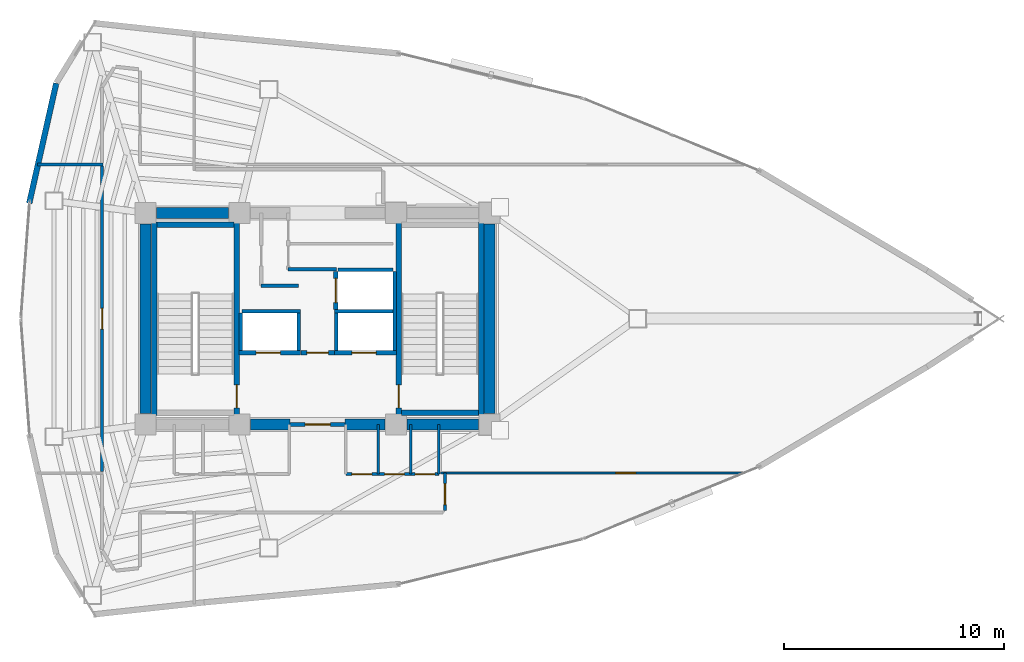
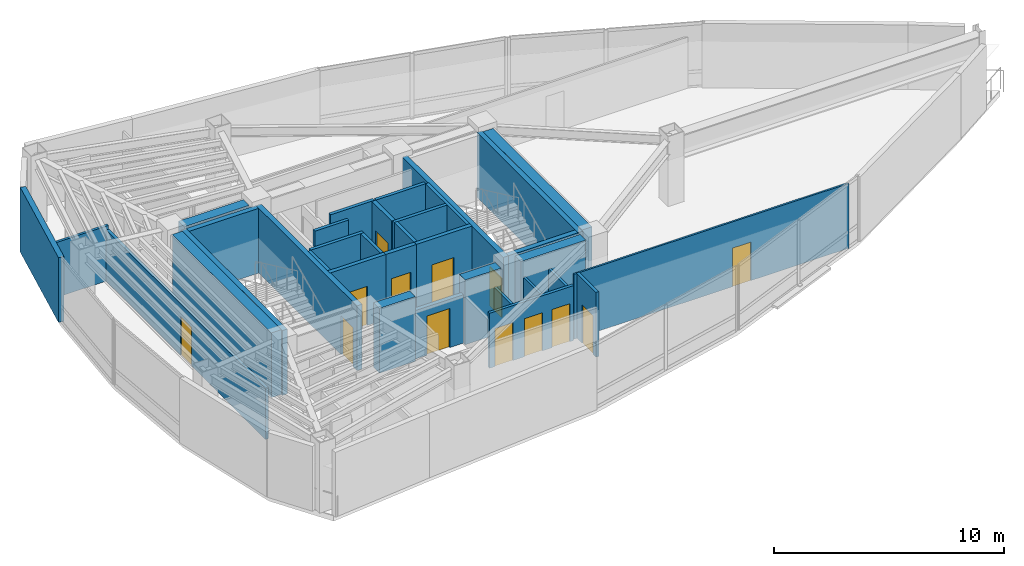
# One storey, part 14 of 17: 35 walls, 13 doors, 13 openings.
"""IFC4 building model written with IfcOpenShell, lengths in metres."""

from ifc_helpers import new_model, si_unit, direction, frame, frame_2d, origin, place, context, subcontext, project, spatial, rectangle, extrude, material, layer, layer_set, type_object, element, fill, save


model = new_model("IFC4")

# Units and contexts
model_context = context("Model", 3, precision=1e-05, world=origin(), true_north=direction((0.0, 1.0)))
body_context = subcontext(model_context, "Body", "Model", "MODEL_VIEW")
ifc_project = project(units=[si_unit("LENGTHUNIT", "METRE"), si_unit("AREAUNIT", "SQUARE_METRE"), si_unit("VOLUMEUNIT", "CUBIC_METRE"), si_unit("PLANEANGLEUNIT", "RADIAN"), si_unit("MASSUNIT", "GRAM", prefix="KILO")], contexts=[model_context])

# Site, building, storey
site_placement = place(None, origin())
site = spatial("IfcSite", under=ifc_project, at=site_placement, CompositionType="ELEMENT")
building_placement = place(site_placement, origin())
building = spatial("IfcBuilding", under=site, at=building_placement, Name="Menara Vayukalpa", CompositionType="ELEMENT")
storey_placement = place(building_placement, frame((0.0, 0.0, 234.419921875)))
storey = spatial("IfcBuildingStorey", under=building, at=storey_placement, Name="L59", CompositionType="ELEMENT", Elevation=234.419921875)

# Walls
ifc_material_1 = material(Name="Concrete C60/75", Category="concrete")
ifc_layer_1 = layer(ifc_material_1, 0.5)
ifc_layer_set_1 = layer_set([ifc_layer_1], Name="Concrete C60/75")
wall_type_1 = type_object("IfcWallType", Name="WAL-CW500", PredefinedType="SHEAR", material=ifc_layer_set_1)
wall_1_placement = place(storey_placement, frame((22.544921875, 17.199951171875, 0.0), z_axis=(0.0, 0.0, 1.0), x_axis=(1.0, 0.0, 0.0)))
element("IfcWall", 1, at=wall_1_placement, inside=storey, type_object=wall_type_1, Name="L59 Buttressed Core Shear Wall CWS2", PredefinedType="SHEAR", context=body_context, shape_type="SweptSolid", body=[
    extrude(rectangle(XDim=1.80517578125, YDim=0.5, at=frame_2d((0.902587890625, 0.0))), origin(), (0.0, 0.0, 1.0), 3.440185546875),
])
wall_2_placement = place(storey_placement, frame((26.85009765625, 17.199951171875, 0.0), z_axis=(0.0, 0.0, 1.0), x_axis=(1.0, 0.0, 0.0)))
element("IfcWall", 2, at=wall_2_placement, inside=storey, type_object=wall_type_1, Name="L59 Buttressed Core Shear Wall CWS3", PredefinedType="SHEAR", context=body_context, shape_type="SweptSolid", body=[
    extrude(rectangle(XDim=1.804931640625, YDim=0.5, at=frame_2d((0.90234375, 0.0))), origin(), (0.0, 0.0, 1.0), 3.440185546875),
])
for number, where, z_axis, x_axis, name in (
    (3, (29.64501953125, 17.199951171875, 0.0), (0.0, 0.0, 1.0), (1.0, 0.0, 0.0), "L59 Buttressed Core Shear Wall CWS4"),
    (4, (18.294921875, 26.800048828125, 0.0), (0.0, 0.0, 1.0), (1.0, 0.0, 0.0), "L59 Buttressed Core Shear Wall CWN1"),
):
    element("IfcWall", number, at=place(storey_placement, frame(where, z_axis=z_axis, x_axis=x_axis)), inside=storey, type_object=wall_type_1, Name=name, PredefinedType="SHEAR", context=body_context, shape_type="SweptSolid", body=[
        extrude(rectangle(XDim=3.260009765625, YDim=0.5, at=frame_2d((1.6298828125, 0.0))), origin(), (0.0, 0.0, 1.0), 3.440185546875),
    ])
for number, where, z_axis, x_axis, name in (
    (5, (17.800048828125, 17.695068359375, 0.0), (0.0, 0.0, 1.0), (0.0, 1.0, 0.0), "L59 Buttressed Core Shear Wall CWW1"),
    (6, (33.39990234375, 17.695068359375, 0.0), (0.0, 0.0, 1.0), (0.0, 1.0, 0.0), "L59 Buttressed Core Shear Wall CWE1"),
):
    element("IfcWall", number, at=place(storey_placement, frame(where, z_axis=z_axis, x_axis=x_axis)), inside=storey, type_object=wall_type_1, Name=name, PredefinedType="SHEAR", context=body_context, shape_type="SweptSolid", body=[
        extrude(rectangle(XDim=8.60986328125, YDim=0.5, at=frame_2d((4.304931640625, 0.0))), origin(), (0.0, 0.0, 1.0), 3.440185546875),
    ])
ifc_material_2 = material(Name="Insulated Precast Concrete C40/50", Category="concrete")
ifc_layer_2 = layer(ifc_material_2, 0.260009765625)
ifc_layer_set_2 = layer_set([ifc_layer_2], Name="Insulated Precast Concrete C40/50")
wall_type_2 = type_object("IfcWallType", Name="WAL-EXT260", PredefinedType="PARTITIONING", material=ifc_layer_set_2)
wall_3_placement = place(storey_placement, frame((12.514892578125, 27.239501953125, 0.0), z_axis=(0.0, 0.0, 1.0), x_axis=(0.219510112872, 0.975610224601, 0.0)))
element("IfcWall", 7, at=wall_3_placement, inside=storey, type_object=wall_type_2, Name="L59 Perimeter Terracotta Pier Wall 09", PredefinedType="PARTITIONING", context=body_context, shape_type="SweptSolid", body=[
    extrude(rectangle(XDim=5.579833984375, YDim=0.260009765625, at=frame_2d((2.7900390625, 0.0))), origin(), (0.0, 0.0, 1.0), 3.440185546875),
])
ifc_material_3 = material(Name="Lightweight Concrete Blockwork C16/20", Category="masonry")
ifc_layer_3 = layer(ifc_material_3, 0.159912109375)
ifc_layer_set_3 = layer_set([ifc_layer_3], Name="Lightweight Concrete Blockwork C16/20")
wall_type_3 = type_object("IfcWallType", Name="WAL-FR150", PredefinedType="PARTITIONING", material=ifc_layer_set_3)
for number, where, z_axis, x_axis, name in (
    (8, (22.10498046875, 20.56005859375, 0.0), (0.0, 0.0, 1.0), (0.0, 1.0, 0.0), "L59 Interior Partition IW-L59-SHW-WW"),
    (9, (24.7548828125, 20.56005859375, 0.0), (0.0, 0.0, 1.0), (0.0, 1.0, 0.0), "L59 Interior Partition IW-L59-SHW-W1E"),
):
    element("IfcWall", number, at=place(storey_placement, frame(where, z_axis=z_axis, x_axis=x_axis)), inside=storey, type_object=wall_type_3, Name=name, PredefinedType="PARTITIONING", context=body_context, shape_type="SweptSolid", body=[
        extrude(rectangle(XDim=1.7099609375, YDim=0.159912109375, at=frame_2d((0.85498046875, 0.0))), origin(), (0.0, 0.0, 1.0), 3.440185546875),
    ])
wall_4_placement = place(storey_placement, frame((22.179931640625, 22.344970703125, 0.0), z_axis=(0.0, 0.0, 1.0), x_axis=(1.0, 0.0, 0.0)))
element("IfcWall", 10, at=wall_4_placement, inside=storey, type_object=wall_type_3, Name="L59 Interior Partition IW-L59-SHM-W12", PredefinedType="PARTITIONING", context=body_context, shape_type="SweptSolid", body=[
    extrude(rectangle(XDim=2.650146484375, YDim=0.159912109375, at=frame_2d((1.3251953125, 0.0))), origin(), (0.0, 0.0, 1.0), 3.440185546875),
])
wall_5_placement = place(storey_placement, frame((29.094970703125, 20.56005859375, 0.0), z_axis=(0.0, 0.0, 1.0), x_axis=(0.0, 1.0, 0.0)))
element("IfcWall", 11, at=wall_5_placement, inside=storey, type_object=wall_type_3, Name="L59 Interior Partition IW-L59-SHW-EE", PredefinedType="PARTITIONING", context=body_context, shape_type="SweptSolid", body=[
    extrude(rectangle(XDim=3.579833984375, YDim=0.159912109375, at=frame_2d((1.7900390625, 0.0))), origin(), (0.0, 0.0, 1.0), 3.440185546875),
])
wall_6_placement = place(storey_placement, frame((26.445068359375, 20.56005859375, 0.0), z_axis=(0.0, 0.0, 1.0), x_axis=(0.0, 1.0, 0.0)))
element("IfcWall", 12, at=wall_6_placement, inside=storey, type_object=wall_type_3, Name="L59 Interior Partition IW-L59-SHW-E1W", PredefinedType="PARTITIONING", context=body_context, shape_type="SweptSolid", body=[
    extrude(rectangle(XDim=1.7099609375, YDim=0.159912109375, at=frame_2d((0.85498046875, 0.0))), origin(), (0.0, 0.0, 1.0), 3.440185546875),
])
wall_7_placement = place(storey_placement, frame((26.3701171875, 22.344970703125, 0.0), z_axis=(0.0, 0.0, 1.0), x_axis=(1.0, 0.0, 0.0)))
element("IfcWall", 13, at=wall_7_placement, inside=storey, type_object=wall_type_3, Name="L59 Interior Partition IW-L59-SHM-E13", PredefinedType="PARTITIONING", context=body_context, shape_type="SweptSolid", body=[
    extrude(rectangle(XDim=2.64990234375, YDim=0.159912109375, at=frame_2d((1.324951171875, 0.0))), origin(), (0.0, 0.0, 1.0), 3.440185546875),
])
wall_8_placement = place(storey_placement, frame((26.530029296875, 24.215087890625, 0.0), z_axis=(0.0, 0.0, 1.0), x_axis=(1.0, 0.0, 0.0)))
element("IfcWall", 14, at=wall_8_placement, inside=storey, type_object=wall_type_3, Name="L59 Interior Partition IW-L59-SHM-E32", PredefinedType="PARTITIONING", context=body_context, shape_type="SweptSolid", body=[
    extrude(rectangle(XDim=2.489990234375, YDim=0.159912109375, at=frame_2d((1.2451171875, 0.0))), origin(), (0.0, 0.0, 1.0), 3.440185546875),
])
wall_9_placement = place(storey_placement, frame((23.0400390625, 23.5, 0.0), z_axis=(0.0, 0.0, 1.0), x_axis=(1.0, 0.0, 0.0)))
element("IfcWall", 15, at=wall_9_placement, inside=storey, type_object=wall_type_3, Name="L59 Interior Partition IW-L59-LV7WA", PredefinedType="PARTITIONING", context=body_context, shape_type="SweptSolid", body=[
    extrude(rectangle(XDim=1.699951171875, YDim=0.159912109375, at=frame_2d((0.85009765625, 0.0))), origin(), (0.0, 0.0, 1.0), 3.440185546875),
])
wall_10_placement = place(storey_placement, frame((24.260009765625, 24.239990234375, 0.0), z_axis=(0.0, 0.0, 1.0), x_axis=(1.0, 0.0, 0.0)))
element("IfcWall", 16, at=wall_10_placement, inside=storey, type_object=wall_type_3, Name="L59 Interior Partition IW-L59-LV7EA", PredefinedType="PARTITIONING", context=body_context, shape_type="SweptSolid", body=[
    extrude(rectangle(XDim=2.199951171875, YDim=0.159912109375, at=frame_2d((1.10009765625, 0.0))), origin(), (0.0, 0.0, 1.0), 3.440185546875),
])

# Wall, opening, door
ifc_material_4 = material(Name="Lightweight Concrete Blockwork C16/20", Category="masonry")
ifc_layer_4 = layer(ifc_material_4, 0.199951171875)
ifc_layer_set_4 = layer_set([ifc_layer_4], Name="Lightweight Concrete Blockwork C16/20")
wall_type_4 = type_object("IfcWallType", Name="WAL-FR200", PredefinedType="PARTITIONING", material=ifc_layer_set_4)
wall_11_placement = place(storey_placement, frame((24.35009765625, 17.199951171875, 0.0), z_axis=(0.0, 0.0, 1.0), x_axis=(1.0, 0.0, 0.0)))
wall_11 = element("IfcWall", 17, at=wall_11_placement, inside=storey, type_object=wall_type_4, Name="L59 Interior Partition IW-L59-FFLS", PredefinedType="PARTITIONING", context=body_context, shape_type="SweptSolid", body=[
    extrude(rectangle(XDim=2.5, YDim=0.199951171875, at=frame_2d((1.25, 0.0))), origin(), (0.0, 0.0, 1.0), 2.570068359375),
])
opening_1_placement = place(wall_11_placement, frame((0.679931640625, 0.0, 0.0)))
opening_1 = element("IfcOpeningElement", 18, at=opening_1_placement, cuts=wall_11, Name="Opening ID2", PredefinedType="OPENING", context=body_context, shape_type="SweptSolid", body=[
    extrude(rectangle(XDim=1.14990234375, YDim=2.080078125, at=frame_2d((0.574951171875, 1.0400390625))), frame((0.0, 0.10986328125, 0.0), z_axis=(0.0, -1.0, 0.0), x_axis=(1.0, 0.0, 0.0)), (0.0, 0.0, 1.0), 0.219970703125),
])
ifc_material_5 = material(Name="Fire-Rated Powder-Coated Steel Door", Category="steel")
door_type_1 = type_object("IfcDoorType", Name="DR-FD60W", OperationType="NOTDEFINED", PredefinedType="DOOR", material=ifc_material_5)
door_1_placement = place(opening_1_placement, origin())
door_1 = element("IfcDoor", 19, at=door_1_placement, inside=storey, type_object=door_type_1, Name="L59 Interior Door DR-L59-FFLS", OperationType="SINGLE_SWING_LEFT", OverallHeight=2.080078125, OverallWidth=1.14990234375, PredefinedType="DOOR", context=body_context, shape_type="SweptSolid", body=[
    extrude(rectangle(XDim=1.14990234375, YDim=2.080078125, at=frame_2d((0.574951171875, 1.0400390625))), frame((0.0, 0.02490234375, 0.0), z_axis=(0.0, -1.0, 0.0), x_axis=(1.0, 0.0, 0.0)), (0.0, 0.0, 1.0), 0.050048828125),
])
fill(opening_1, door_1)

wall_12_placement = place(storey_placement, frame((24.840087890625, 20.449951171875, 0.0), z_axis=(0.0, 0.0, 1.0), x_axis=(1.0, 0.0, 0.0)))
wall_12 = element("IfcWall", 20, at=wall_12_placement, inside=storey, type_object=wall_type_4, Name="L59 Interior Partition IW-L59-FFLN", PredefinedType="PARTITIONING", context=body_context, shape_type="SweptSolid", body=[
    extrude(rectangle(XDim=1.52001953125, YDim=0.199951171875, at=frame_2d((0.760009765625, 0.0))), origin(), (0.0, 0.0, 1.0), 3.440185546875),
])
opening_2_placement = place(wall_12_placement, frame((0.27001953125, 0.0, 0.0)))
opening_2 = element("IfcOpeningElement", 21, at=opening_2_placement, cuts=wall_12, Name="Opening ID3", PredefinedType="OPENING", context=body_context, shape_type="SweptSolid", body=[
    extrude(rectangle(XDim=0.97998046875, YDim=2.06005859375, at=frame_2d((0.489990234375, 1.030029296875))), frame((0.0, 0.10986328125, 0.0), z_axis=(0.0, -1.0, 0.0), x_axis=(1.0, 0.0, 0.0)), (0.0, 0.0, 1.0), 0.219970703125),
])
ifc_material_6 = material(Name="Fire-Rated Powder-Coated Steel Door", Category="steel")
door_type_2 = type_object("IfcDoorType", Name="DR-FD60", OperationType="NOTDEFINED", PredefinedType="DOOR", material=ifc_material_6)
door_2_placement = place(opening_2_placement, origin())
door_2 = element("IfcDoor", 22, at=door_2_placement, inside=storey, type_object=door_type_2, Name="L59 Interior Door DR-L59-FFLN", OperationType="SINGLE_SWING_RIGHT", OverallHeight=2.06005859375, OverallWidth=0.97998046875, PredefinedType="DOOR", context=body_context, shape_type="SweptSolid", body=[
    extrude(rectangle(XDim=0.97998046875, YDim=2.06005859375, at=frame_2d((0.489990234375, 1.030029296875))), frame((0.0, 0.02490234375, 0.0), z_axis=(0.0, -1.0, 0.0), x_axis=(1.0, 0.0, 0.0)), (0.0, 0.0, 1.0), 0.050048828125),
])
fill(opening_2, door_2)

wall_13_placement = place(storey_placement, frame((22.030029296875, 20.449951171875, 0.0), z_axis=(0.0, 0.0, 1.0), x_axis=(1.0, 0.0, 0.0)))
wall_13 = element("IfcWall", 23, at=wall_13_placement, inside=storey, type_object=wall_type_4, Name="L59 Interior Partition IW-L59-SH-W1", PredefinedType="PARTITIONING", context=body_context, shape_type="SweptSolid", body=[
    extrude(rectangle(XDim=2.800048828125, YDim=0.199951171875, at=frame_2d((1.39990234375, 0.0))), origin(), (0.0, 0.0, 1.0), 3.440185546875),
])
opening_3_placement = place(wall_13_placement, frame((0.780029296875, 0.0, 0.0)))
opening_3 = element("IfcOpeningElement", 24, at=opening_3_placement, cuts=wall_13, Name="Opening LD1", PredefinedType="OPENING", context=body_context, shape_type="SweptSolid", body=[
    extrude(rectangle(XDim=1.10009765625, YDim=2.080078125, at=frame_2d((0.550048828125, 1.0400390625))), frame((0.0, 0.10986328125, 0.0), z_axis=(0.0, -1.0, 0.0), x_axis=(1.0, 0.0, 0.0)), (0.0, 0.0, 1.0), 0.219970703125),
])
ifc_material_7 = material(Name="Brushed Stainless Steel 316 Lift Door", Category="steel")
door_type_3 = type_object("IfcDoorType", Name="DR-LD110", OperationType="NOTDEFINED", PredefinedType="DOOR", material=ifc_material_7)
door_3_placement = place(opening_3_placement, origin())
door_3 = element("IfcDoor", 25, at=door_3_placement, inside=storey, type_object=door_type_3, Name="L59 Interior Door DR-L59-LD-W1", OperationType="DOUBLE_DOOR_SLIDING", OverallHeight=2.080078125, OverallWidth=1.10009765625, PredefinedType="DOOR", context=body_context, shape_type="SweptSolid", body=[
    extrude(rectangle(XDim=1.10009765625, YDim=2.080078125, at=frame_2d((0.550048828125, 1.0400390625))), frame((0.0, 0.02490234375, 0.0), z_axis=(0.0, -1.0, 0.0), x_axis=(1.0, 0.0, 0.0)), (0.0, 0.0, 1.0), 0.050048828125),
])
fill(opening_3, door_3)

wall_14_placement = place(storey_placement, frame((26.3701171875, 20.449951171875, 0.0), z_axis=(0.0, 0.0, 1.0), x_axis=(1.0, 0.0, 0.0)))
wall_14 = element("IfcWall", 26, at=wall_14_placement, inside=storey, type_object=wall_type_4, Name="L59 Interior Partition IW-L59-SH-E1", PredefinedType="PARTITIONING", context=body_context, shape_type="SweptSolid", body=[
    extrude(rectangle(XDim=2.7998046875, YDim=0.199951171875, at=frame_2d((1.39990234375, 0.0))), origin(), (0.0, 0.0, 1.0), 3.440185546875),
])
opening_4_placement = place(wall_14_placement, frame((0.780029296875, 0.0, 0.0)))
opening_4 = element("IfcOpeningElement", 27, at=opening_4_placement, cuts=wall_14, Name="Opening LD1", PredefinedType="OPENING", context=body_context, shape_type="SweptSolid", body=[
    extrude(rectangle(XDim=1.10009765625, YDim=2.080078125, at=frame_2d((0.550048828125, 1.0400390625))), frame((0.0, 0.10986328125, 0.0), z_axis=(0.0, -1.0, 0.0), x_axis=(1.0, 0.0, 0.0)), (0.0, 0.0, 1.0), 0.219970703125),
])
door_4_placement = place(opening_4_placement, origin())
door_4 = element("IfcDoor", 28, at=door_4_placement, inside=storey, type_object=door_type_3, Name="L59 Interior Door DR-L59-LD-E1", OperationType="DOUBLE_DOOR_SLIDING", OverallHeight=2.080078125, OverallWidth=1.10009765625, PredefinedType="DOOR", context=body_context, shape_type="SweptSolid", body=[
    extrude(rectangle(XDim=1.10009765625, YDim=2.080078125, at=frame_2d((0.550048828125, 1.0400390625))), frame((0.0, 0.02490234375, 0.0), z_axis=(0.0, -1.0, 0.0), x_axis=(1.0, 0.0, 0.0)), (0.0, 0.0, 1.0), 0.050048828125),
])
fill(opening_4, door_4)

wall_15_placement = place(storey_placement, frame((26.419921875, 22.419921875, 0.0), z_axis=(0.0, 0.0, 1.0), x_axis=(0.0, 1.0, 0.0)))
wall_15 = element("IfcWall", 29, at=wall_15_placement, inside=storey, type_object=wall_type_4, Name="L59 Interior Partition IW-L59-SH-E3", PredefinedType="PARTITIONING", context=body_context, shape_type="SweptSolid", body=[
    extrude(rectangle(XDim=1.719970703125, YDim=0.199951171875, at=frame_2d((0.85986328125, 0.0))), origin(), (0.0, 0.0, 1.0), 3.440185546875),
])
opening_5_placement = place(wall_15_placement, frame((0.31005859375, 0.0, 0.0)))
opening_5 = element("IfcOpeningElement", 30, at=opening_5_placement, cuts=wall_15, Name="Opening LD1", PredefinedType="OPENING", context=body_context, shape_type="SweptSolid", body=[
    extrude(rectangle(XDim=1.10009765625, YDim=2.080078125, at=frame_2d((0.550048828125, 1.0400390625))), frame((0.0, 0.10986328125, 0.0), z_axis=(0.0, -1.0, 0.0), x_axis=(1.0, 0.0, 0.0)), (0.0, 0.0, 1.0), 0.219970703125),
])
door_5_placement = place(opening_5_placement, origin())
door_5 = element("IfcDoor", 31, at=door_5_placement, inside=storey, type_object=door_type_3, Name="L59 Interior Door DR-L59-LD-E3", OperationType="DOUBLE_DOOR_SLIDING", OverallHeight=2.080078125, OverallWidth=1.10009765625, PredefinedType="DOOR", context=body_context, shape_type="SweptSolid", body=[
    extrude(rectangle(XDim=1.10009765625, YDim=2.080078125, at=frame_2d((0.550048828125, 1.0400390625))), frame((0.0, 0.02490234375, 0.0), z_axis=(0.0, -1.0, 0.0), x_axis=(1.0, 0.0, 0.0)), (0.0, 0.0, 1.0), 0.050048828125),
])
fill(opening_5, door_5)

ifc_material_8 = material(Name="Glazed Demountable Office Partition", Category="glass")
ifc_layer_5 = layer(ifc_material_8, 0.094970703125)
ifc_layer_set_5 = layer_set([ifc_layer_5], Name="Glazed Demountable Office Partition")
wall_type_5 = type_object("IfcWallType", Name="WAL-PT100", PredefinedType="PARTITIONING", material=ifc_layer_set_5)
wall_16_placement = place(storey_placement, frame((31.169921875, 15.0, 0.0), z_axis=(0.0, 0.0, 1.0), x_axis=(1.0, 0.0, 0.0)))
wall_16 = element("IfcWall", 32, at=wall_16_placement, inside=storey, type_object=wall_type_5, Name="L59 Interior Partition IW-L59-RDIV04", PredefinedType="PARTITIONING", context=body_context, shape_type="SweptSolid", body=[
    extrude(rectangle(XDim=13.794677734375, YDim=0.094970703125, at=frame_2d((6.8974609375, 0.0))), origin(), (0.0, 0.0, 1.0), 3.440185546875),
])
opening_6_placement = place(wall_16_placement, frame((7.950927734375, 0.0, 0.0)))
opening_6 = element("IfcOpeningElement", 33, at=opening_6_placement, cuts=wall_16, Name="Opening ID6", PredefinedType="OPENING", context=body_context, shape_type="SweptSolid", body=[
    extrude(rectangle(XDim=0.919921875, YDim=2.050048828125, at=frame_2d((0.4599609375, 1.02490234375))), frame((0.0, 0.057373046875, 0.0), z_axis=(0.0, -1.0, 0.0), x_axis=(1.0, 0.0, 0.0)), (0.0, 0.0, 1.0), 0.114990234375),
])
ifc_material_9 = material(Name="Acoustic Hardwood Veneer Timber Door", Category="wood")
door_type_4 = type_object("IfcDoorType", Name="DR-INT92", OperationType="NOTDEFINED", PredefinedType="DOOR", material=ifc_material_9)
door_6_placement = place(opening_6_placement, origin())
door_6 = element("IfcDoor", 34, at=door_6_placement, inside=storey, type_object=door_type_4, Name="L59 Interior Door DR-L59-STE04", OperationType="SINGLE_SWING_LEFT", OverallHeight=2.050048828125, OverallWidth=0.919921875, PredefinedType="DOOR", context=body_context, shape_type="SweptSolid", body=[
    extrude(rectangle(XDim=0.919921875, YDim=2.050048828125, at=frame_2d((0.4599609375, 1.02490234375))), frame((0.0, 0.02490234375, 0.0), z_axis=(0.0, -1.0, 0.0), x_axis=(1.0, 0.0, 0.0)), (0.0, 0.0, 1.0), 0.050048828125),
])
fill(opening_6, door_6)

# Walls
ifc_material_10 = material(Name="Acoustic Mineral Stud Partition", Category="masonry")
ifc_layer_6 = layer(ifc_material_10, 0.110107421875)
ifc_layer_set_6 = layer_set([ifc_layer_6], Name="Acoustic Mineral Stud Partition")
wall_type_6 = type_object("IfcWallType", Name="WAL-PT110", PredefinedType="PARTITIONING", material=ifc_layer_set_6)
wall_17_placement = place(storey_placement, frame((29.830078125, 14.949951171875, 0.0), z_axis=(0.0, 0.0, 1.0), x_axis=(0.0, 1.0, 0.0)))
element("IfcWall", 35, at=wall_17_placement, inside=storey, type_object=wall_type_6, Name="L59 Interior Partition IW-L59-SVCD-06", PredefinedType="PARTITIONING", context=body_context, shape_type="SweptSolid", body=[
    extrude(rectangle(XDim=2.25, YDim=0.110107421875, at=frame_2d((1.125, 0.0))), origin(), (0.0, 0.0, 1.0), 2.570068359375),
])
ifc_material_11 = material(Name="Gypsum Drywall Steel Stud Assembly", Category="steel")
ifc_layer_7 = layer(ifc_material_11, 0.125)
ifc_layer_set_7 = layer_set([ifc_layer_7], Name="Gypsum Drywall Steel Stud Assembly")
wall_type_7 = type_object("IfcWallType", Name="WAL-PT125", PredefinedType="PARTITIONING", material=ifc_layer_set_7)
for number, where, z_axis, x_axis, name in (
    (36, (28.35009765625, 14.949951171875, 0.0), (0.0, 0.0, 1.0), (0.0, 1.0, 0.0), "L59 Interior Partition IW-L59-SVCD-05"),
    (37, (31.10009765625, 14.949951171875, 0.0), (0.0, 0.0, 1.0), (0.0, 1.0, 0.0), "L59 Interior Partition IW-L59-SVCD-07"),
):
    element("IfcWall", number, at=place(storey_placement, frame(where, z_axis=z_axis, x_axis=x_axis)), inside=storey, type_object=wall_type_7, Name=name, PredefinedType="PARTITIONING", context=body_context, shape_type="SweptSolid", body=[
        extrude(rectangle(XDim=2.25, YDim=0.125, at=frame_2d((1.125, 0.0))), origin(), (0.0, 0.0, 1.0), 2.570068359375),
    ])
wall_18_placement = place(storey_placement, frame((12.900634765625, 29.0, 0.0), z_axis=(0.0, 0.0, 1.0), x_axis=(1.0, 0.0, 0.0)))
element("IfcWall", 38, at=wall_18_placement, inside=storey, type_object=wall_type_7, Name="L59 Interior Partition IW-L59-RDIV05", PredefinedType="PARTITIONING", context=body_context, shape_type="SweptSolid", body=[
    extrude(rectangle(XDim=2.969482421875, YDim=0.125, at=frame_2d((1.48486328125, 0.0))), origin(), (0.0, 0.0, 1.0), 2.920166015625),
])

# Wall, openings, doors
ifc_material_12 = material(Name="Gypsum Drywall Acoustic Stud Assembly", Category="masonry")
ifc_layer_8 = layer(ifc_material_12, 0.14501953125)
ifc_layer_set_8 = layer_set([ifc_layer_8], Name="Gypsum Drywall Acoustic Stud Assembly")
wall_type_8 = type_object("IfcWallType", Name="WAL-PT150", PredefinedType="PARTITIONING", material=ifc_layer_set_8)
wall_19_placement = place(storey_placement, frame((26.8798828125, 14.949951171875, 0.0), z_axis=(0.0, 0.0, 1.0), x_axis=(1.0, 0.0, 0.0)))
wall_19 = element("IfcWall", 39, at=wall_19_placement, inside=storey, type_object=wall_type_8, Name="L59 Interior Partition IW-L59-SVCS-E", PredefinedType="PARTITIONING", context=body_context, shape_type="SweptSolid", body=[
    extrude(rectangle(XDim=4.22021484375, YDim=0.14501953125, at=frame_2d((2.110107421875, 0.0))), origin(), (0.0, 0.0, 1.0), 2.920166015625),
])
opening_7_placement = place(wall_19_placement, frame((0.280029296875, 0.0, 0.0)))
opening_7 = element("IfcOpeningElement", 40, at=opening_7_placement, cuts=wall_19, Name="Opening ID7", PredefinedType="OPENING", context=body_context, shape_type="SweptSolid", body=[
    extrude(rectangle(XDim=0.89990234375, YDim=2.02001953125, at=frame_2d((0.449951171875, 1.010009765625))), frame((0.0, 0.08251953125, 0.0), z_axis=(0.0, -1.0, 0.0), x_axis=(1.0, 0.0, 0.0)), (0.0, 0.0, 1.0), 0.1650390625),
])
opening_8_placement = place(wall_19_placement, frame((1.760009765625, 0.0, 0.0)))
opening_8 = element("IfcOpeningElement", 41, at=opening_8_placement, cuts=wall_19, Name="Opening ID7", PredefinedType="OPENING", context=body_context, shape_type="SweptSolid", body=[
    extrude(rectangle(XDim=0.89990234375, YDim=2.02001953125, at=frame_2d((0.449951171875, 1.010009765625))), frame((0.0, 0.08251953125, 0.0), z_axis=(0.0, -1.0, 0.0), x_axis=(1.0, 0.0, 0.0)), (0.0, 0.0, 1.0), 0.1650390625),
])
opening_9_placement = place(wall_19_placement, frame((3.139892578125, 0.0, 0.0)))
opening_9 = element("IfcOpeningElement", 42, at=opening_9_placement, cuts=wall_19, Name="Opening ID7", PredefinedType="OPENING", context=body_context, shape_type="SweptSolid", body=[
    extrude(rectangle(XDim=0.89990234375, YDim=2.02001953125, at=frame_2d((0.449951171875, 1.010009765625))), frame((0.0, 0.08251953125, 0.0), z_axis=(0.0, -1.0, 0.0), x_axis=(1.0, 0.0, 0.0)), (0.0, 0.0, 1.0), 0.1650390625),
])
ifc_material_13 = material(Name="Powder-Coated Steel Riser Access Door", Category="steel")
door_type_5 = type_object("IfcDoorType", Name="DR-RISER", OperationType="NOTDEFINED", PredefinedType="DOOR", material=ifc_material_13)
door_7_placement = place(opening_7_placement, origin())
door_7 = element("IfcDoor", 43, at=door_7_placement, inside=storey, type_object=door_type_5, Name="L59 Interior Door DR-L59-KSV1", OperationType="SINGLE_SWING_RIGHT", OverallHeight=2.02001953125, OverallWidth=0.89990234375, PredefinedType="DOOR", context=body_context, shape_type="SweptSolid", body=[
    extrude(rectangle(XDim=0.89990234375, YDim=2.02001953125, at=frame_2d((0.449951171875, 1.010009765625))), frame((0.0, 0.02490234375, 0.0), z_axis=(0.0, -1.0, 0.0), x_axis=(1.0, 0.0, 0.0)), (0.0, 0.0, 1.0), 0.050048828125),
])
fill(opening_7, door_7)
door_8_placement = place(opening_8_placement, origin())
door_8 = element("IfcDoor", 44, at=door_8_placement, inside=storey, type_object=door_type_5, Name="L59 Interior Door DR-L59-KSV2", OperationType="SINGLE_SWING_LEFT", OverallHeight=2.02001953125, OverallWidth=0.89990234375, PredefinedType="DOOR", context=body_context, shape_type="SweptSolid", body=[
    extrude(rectangle(XDim=0.89990234375, YDim=2.02001953125, at=frame_2d((0.449951171875, 1.010009765625))), frame((0.0, 0.02490234375, 0.0), z_axis=(0.0, -1.0, 0.0), x_axis=(1.0, 0.0, 0.0)), (0.0, 0.0, 1.0), 0.050048828125),
])
fill(opening_8, door_8)
door_9_placement = place(opening_9_placement, origin())
door_9 = element("IfcDoor", 45, at=door_9_placement, inside=storey, type_object=door_type_5, Name="L59 Interior Door DR-L59-SMD", OperationType="SINGLE_SWING_RIGHT", OverallHeight=2.02001953125, OverallWidth=0.89990234375, PredefinedType="DOOR", context=body_context, shape_type="SweptSolid", body=[
    extrude(rectangle(XDim=0.89990234375, YDim=2.02001953125, at=frame_2d((0.449951171875, 1.010009765625))), frame((0.0, 0.02490234375, 0.0), z_axis=(0.0, -1.0, 0.0), x_axis=(1.0, 0.0, 0.0)), (0.0, 0.0, 1.0), 0.050048828125),
])
fill(opening_9, door_9)

# Wall, opening, door
wall_20_placement = place(storey_placement, frame((31.3798828125, 13.2900390625, 0.0), z_axis=(0.0, 0.0, 1.0), x_axis=(0.0, 1.0, 0.0)))
wall_20 = element("IfcWall", 46, at=wall_20_placement, inside=storey, type_object=wall_type_8, Name="L59 Interior Partition IW-L59-CRM03-2", PredefinedType="PARTITIONING", context=body_context, shape_type="SweptSolid", body=[
    extrude(rectangle(XDim=1.7099609375, YDim=0.14501953125, at=frame_2d((0.85498046875, 0.0))), origin(), (0.0, 0.0, 1.0), 3.440185546875),
])
opening_10_placement = place(wall_20_placement, frame((0.280029296875, 0.0, 0.0)))
opening_10 = element("IfcOpeningElement", 47, at=opening_10_placement, cuts=wall_20, Name="Opening ID5", PredefinedType="OPENING", context=body_context, shape_type="SweptSolid", body=[
    extrude(rectangle(XDim=0.949951171875, YDim=2.06005859375, at=frame_2d((0.47509765625, 1.030029296875))), frame((0.0, 0.08251953125, 0.0), z_axis=(0.0, -1.0, 0.0), x_axis=(1.0, 0.0, 0.0)), (0.0, 0.0, 1.0), 0.1650390625),
])
ifc_material_14 = material(Name="Acoustic Hardwood Veneer Timber Door", Category="wood")
door_type_6 = type_object("IfcDoorType", Name="DR-INT95", OperationType="NOTDEFINED", PredefinedType="DOOR", material=ifc_material_14)
door_10_placement = place(opening_10_placement, origin())
door_10 = element("IfcDoor", 48, at=door_10_placement, inside=storey, type_object=door_type_6, Name="L59 Interior Door DR-L59-RM03", OperationType="SINGLE_SWING_RIGHT", OverallHeight=2.06005859375, OverallWidth=0.949951171875, PredefinedType="DOOR", context=body_context, shape_type="SweptSolid", body=[
    extrude(rectangle(XDim=0.949951171875, YDim=2.06005859375, at=frame_2d((0.47509765625, 1.030029296875))), frame((0.0, 0.02490234375, 0.0), z_axis=(0.0, -1.0, 0.0), x_axis=(1.0, 0.0, 0.0)), (0.0, 0.0, 1.0), 0.050048828125),
])
fill(opening_10, door_10)

wall_21_placement = place(storey_placement, frame((15.820068359375, 28.929931640625, 0.0), z_axis=(0.0, 0.0, 1.0), x_axis=(0.0, -1.0, 0.0)))
wall_21 = element("IfcWall", 49, at=wall_21_placement, inside=storey, type_object=wall_type_8, Name="L59 Interior Partition IW-L59-CRM07-1", PredefinedType="PARTITIONING", context=body_context, shape_type="SweptSolid", body=[
    extrude(rectangle(XDim=13.85986328125, YDim=0.14501953125, at=frame_2d((6.929931640625, 0.0))), origin(), (0.0, 0.0, 1.0), 2.719970703125),
])
opening_11_placement = place(wall_21_placement, frame((6.455078125, 0.0, 0.0)))
opening_11 = element("IfcOpeningElement", 50, at=opening_11_placement, cuts=wall_21, Name="Opening ID5", PredefinedType="OPENING", context=body_context, shape_type="SweptSolid", body=[
    extrude(rectangle(XDim=0.949951171875, YDim=2.06005859375, at=frame_2d((0.47509765625, 1.030029296875))), frame((0.0, 0.08251953125, 0.0), z_axis=(0.0, -1.0, 0.0), x_axis=(1.0, 0.0, 0.0)), (0.0, 0.0, 1.0), 0.1650390625),
])
door_11_placement = place(opening_11_placement, origin())
door_11 = element("IfcDoor", 51, at=door_11_placement, inside=storey, type_object=door_type_6, Name="L59 Interior Door DR-L59-RM07", OperationType="SINGLE_SWING_RIGHT", OverallHeight=2.06005859375, OverallWidth=0.949951171875, PredefinedType="DOOR", context=body_context, shape_type="SweptSolid", body=[
    extrude(rectangle(XDim=0.949951171875, YDim=2.06005859375, at=frame_2d((0.47509765625, 1.030029296875))), frame((0.0, 0.02490234375, 0.0), z_axis=(0.0, -1.0, 0.0), x_axis=(1.0, 0.0, 0.0)), (0.0, 0.0, 1.0), 0.050048828125),
])
fill(opening_11, door_11)

# Wall
ifc_material_15 = material(Name="Concrete C50/60", Category="concrete")
ifc_layer_9 = layer(ifc_material_15, 0.25)
ifc_layer_set_9 = layer_set([ifc_layer_9], Name="Concrete C50/60")
wall_type_9 = type_object("IfcWallType", Name="WAL-SW250", PredefinedType="SHEAR", material=ifc_layer_set_9)
wall_22_placement = place(storey_placement, frame((18.178955078125, 17.60009765625, 0.0), z_axis=(0.0, 0.0, 1.0), x_axis=(0.0, 1.0, 0.0)))
element("IfcWall", 52, at=wall_22_placement, inside=storey, type_object=wall_type_9, Name="L59 ST1 Structural Stair Shaft Wall W", PredefinedType="SHEAR", context=body_context, shape_type="SweptSolid", body=[
    extrude(rectangle(XDim=8.7998046875, YDim=0.25, at=frame_2d((4.39990234375, 0.0))), origin(), (0.0, 0.0, 1.0), 3.440185546875),
])

# Wall, opening, door
wall_23_placement = place(storey_placement, frame((21.925048828125, 17.60009765625, 0.0), z_axis=(0.0, 0.0, 1.0), x_axis=(0.0, 1.0, 0.0)))
wall_23 = element("IfcWall", 53, at=wall_23_placement, inside=storey, type_object=wall_type_9, Name="L59 ST1 Structural Stair Shaft Wall E", PredefinedType="SHEAR", context=body_context, shape_type="SweptSolid", body=[
    extrude(rectangle(XDim=8.7998046875, YDim=0.25, at=frame_2d((4.39990234375, 0.0))), origin(), (0.0, 0.0, 1.0), 3.440185546875),
])
opening_12_placement = place(wall_23_placement, frame((0.35009765625, 0.0, 0.0)))
opening_12 = element("IfcOpeningElement", 54, at=opening_12_placement, cuts=wall_23, Name="Opening ID1", PredefinedType="OPENING", context=body_context, shape_type="SweptSolid", body=[
    extrude(rectangle(XDim=1.050048828125, YDim=2.080078125, at=frame_2d((0.52490234375, 1.0400390625))), frame((0.0, 0.135009765625, 0.0), z_axis=(0.0, -1.0, 0.0), x_axis=(1.0, 0.0, 0.0)), (0.0, 0.0, 1.0), 0.27001953125),
])
ifc_material_16 = material(Name="Fire-Rated Powder-Coated Steel Door", Category="steel")
door_type_7 = type_object("IfcDoorType", Name="DR-FD120", OperationType="NOTDEFINED", PredefinedType="DOOR", material=ifc_material_16)
door_12_placement = place(opening_12_placement, origin())
door_12 = element("IfcDoor", 55, at=door_12_placement, inside=storey, type_object=door_type_7, Name="L59 Stair Exit Door DR-L59-ST1", OperationType="SINGLE_SWING_LEFT", OverallHeight=2.080078125, OverallWidth=1.050048828125, PredefinedType="DOOR", context=body_context, shape_type="SweptSolid", body=[
    extrude(rectangle(XDim=1.050048828125, YDim=2.080078125, at=frame_2d((0.52490234375, 1.0400390625))), frame((0.0, 0.02490234375, 0.0), z_axis=(0.0, -1.0, 0.0), x_axis=(1.0, 0.0, 0.0)), (0.0, 0.0, 1.0), 0.050048828125),
])
fill(opening_12, door_12)

# Wall
wall_24_placement = place(storey_placement, frame((18.303955078125, 26.27490234375, 0.0), z_axis=(0.0, 0.0, 1.0), x_axis=(1.0, 0.0, 0.0)))
element("IfcWall", 56, at=wall_24_placement, inside=storey, type_object=wall_type_9, Name="L59 ST1 Structural Stair Shaft Wall N", PredefinedType="SHEAR", context=body_context, shape_type="SweptSolid", body=[
    extrude(rectangle(XDim=3.49609375, YDim=0.25, at=frame_2d((1.748046875, 0.0))), origin(), (0.0, 0.0, 1.0), 3.440185546875),
])

# Wall, opening, door
wall_25_placement = place(storey_placement, frame((29.27490234375, 17.60009765625, 0.0), z_axis=(0.0, 0.0, 1.0), x_axis=(0.0, 1.0, 0.0)))
wall_25 = element("IfcWall", 57, at=wall_25_placement, inside=storey, type_object=wall_type_9, Name="L59 ST2 Structural Stair Shaft Wall W", PredefinedType="SHEAR", context=body_context, shape_type="SweptSolid", body=[
    extrude(rectangle(XDim=8.7998046875, YDim=0.25, at=frame_2d((4.39990234375, 0.0))), origin(), (0.0, 0.0, 1.0), 3.440185546875),
])
opening_13_placement = place(wall_25_placement, frame((0.35009765625, 0.0, 0.0)))
opening_13 = element("IfcOpeningElement", 58, at=opening_13_placement, cuts=wall_25, Name="Opening ID1", PredefinedType="OPENING", context=body_context, shape_type="SweptSolid", body=[
    extrude(rectangle(XDim=1.050048828125, YDim=2.080078125, at=frame_2d((0.52490234375, 1.0400390625))), frame((0.0, 0.135009765625, 0.0), z_axis=(0.0, -1.0, 0.0), x_axis=(1.0, 0.0, 0.0)), (0.0, 0.0, 1.0), 0.27001953125),
])
door_13_placement = place(opening_13_placement, origin())
door_13 = element("IfcDoor", 59, at=door_13_placement, inside=storey, type_object=door_type_7, Name="L59 Stair Exit Door DR-L59-ST2", OperationType="SINGLE_SWING_RIGHT", OverallHeight=2.080078125, OverallWidth=1.050048828125, PredefinedType="DOOR", context=body_context, shape_type="SweptSolid", body=[
    extrude(rectangle(XDim=1.050048828125, YDim=2.080078125, at=frame_2d((0.52490234375, 1.0400390625))), frame((0.0, 0.02490234375, 0.0), z_axis=(0.0, -1.0, 0.0), x_axis=(1.0, 0.0, 0.0)), (0.0, 0.0, 1.0), 0.050048828125),
])
fill(opening_13, door_13)

# Walls
wall_26_placement = place(storey_placement, frame((33.02099609375, 17.60009765625, 0.0), z_axis=(0.0, 0.0, 1.0), x_axis=(0.0, 1.0, 0.0)))
element("IfcWall", 60, at=wall_26_placement, inside=storey, type_object=wall_type_9, Name="L59 ST2 Structural Stair Shaft Wall E", PredefinedType="SHEAR", context=body_context, shape_type="SweptSolid", body=[
    extrude(rectangle(XDim=8.7998046875, YDim=0.25, at=frame_2d((4.39990234375, 0.0))), origin(), (0.0, 0.0, 1.0), 3.440185546875),
])
wall_27_placement = place(storey_placement, frame((29.39990234375, 17.72509765625, 0.0), z_axis=(0.0, 0.0, 1.0), x_axis=(1.0, 0.0, 0.0)))
element("IfcWall", 61, at=wall_27_placement, inside=storey, type_object=wall_type_9, Name="L59 ST2 Structural Stair Shaft Wall S", PredefinedType="SHEAR", context=body_context, shape_type="SweptSolid", body=[
    extrude(rectangle(XDim=3.49609375, YDim=0.25, at=frame_2d((1.748046875, 0.0))), origin(), (0.0, 0.0, 1.0), 3.440185546875),
])

save(model, "model.ifc")
